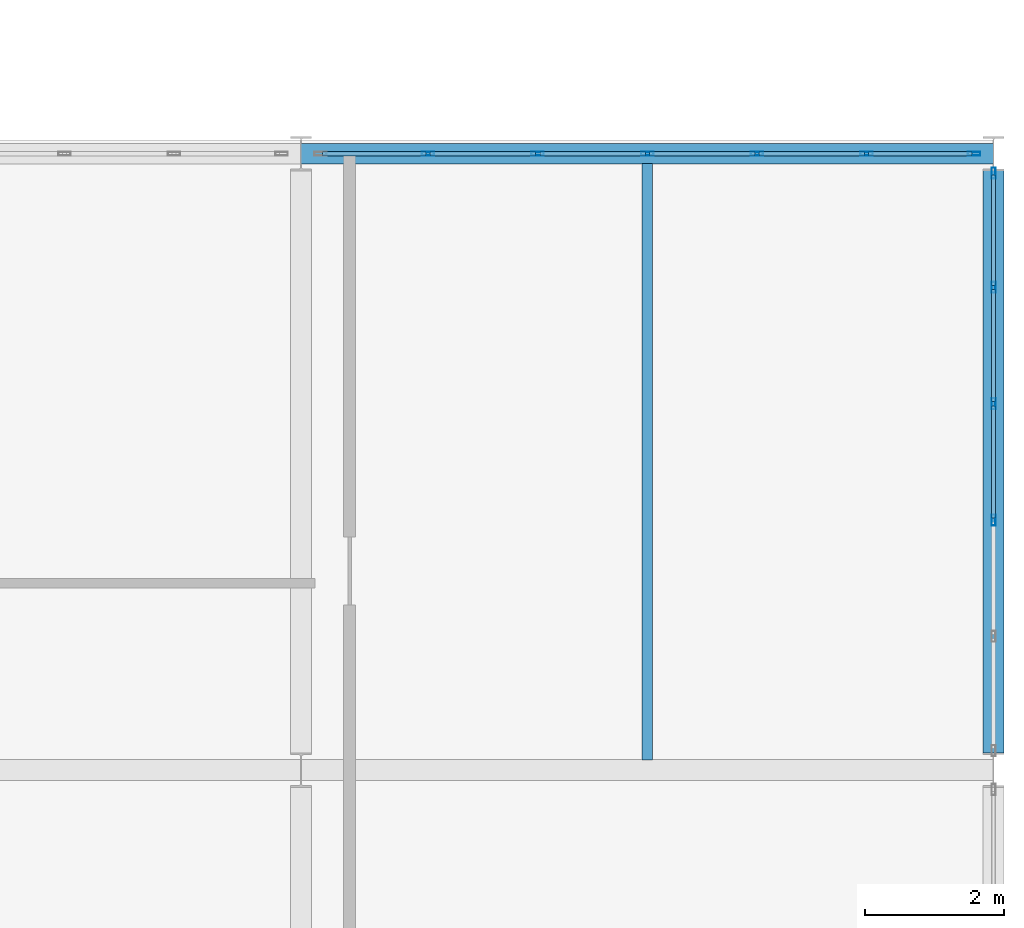
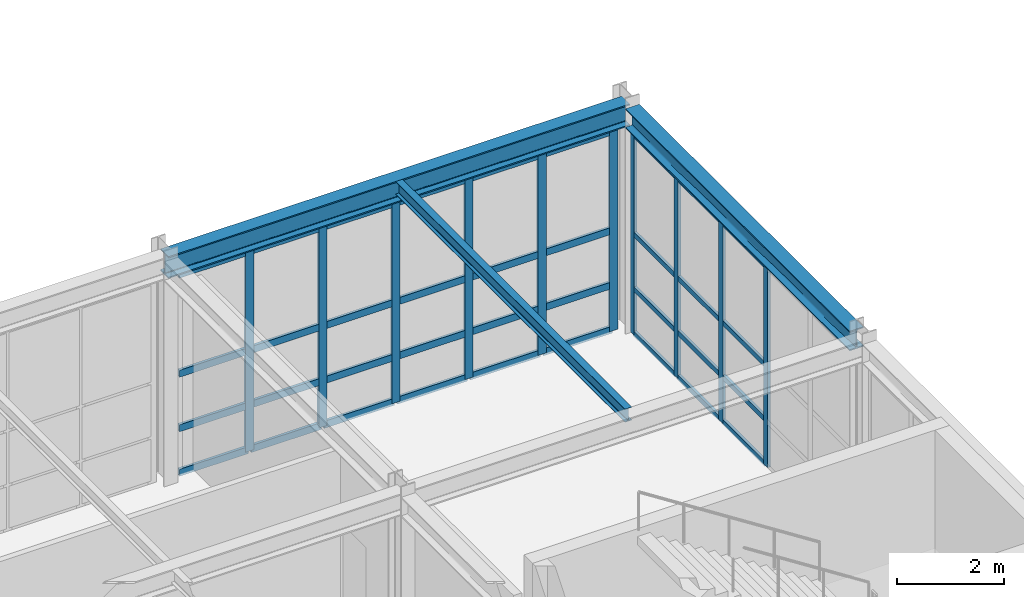
# One storey, part 106 of 210: 46 members, 3 beams, 2 elements without a shape of their own.
"""IFC4 building model written with IfcOpenShell, lengths in metres."""

from ifc_helpers import new_model, si_unit, direction, frame, origin, origin_2d, place, context, subcontext, project, spatial, hollow_rectangle, i_section, extrude, material, material_profile, profile_set, type_object, element, aggregate, save


model = new_model("IFC4")

# Units and contexts
model_context = context("Model", 3, precision=1e-05, world=origin(), true_north=direction((0.0, 1.0)))
body_context = subcontext(model_context, "Body", "Model", "MODEL_VIEW")
ifc_project = project(units=[si_unit("LENGTHUNIT", "METRE"), si_unit("AREAUNIT", "SQUARE_METRE"), si_unit("VOLUMEUNIT", "CUBIC_METRE"), si_unit("PLANEANGLEUNIT", "RADIAN"), si_unit("MASSUNIT", "GRAM", prefix="KILO")], contexts=[model_context])

# Site, building, storey
site_placement = place(None, origin())
site = spatial("IfcSite", under=ifc_project, at=site_placement, CompositionType="ELEMENT")
building_placement = place(site_placement, origin())
building = spatial("IfcBuilding", under=site, at=building_placement, Name="Kaldris Quays Convention Centre", CompositionType="ELEMENT")
storey_placement = place(building_placement, frame((0.0, 0.0, 6.0)))
storey = spatial("IfcBuildingStorey", under=building, at=storey_placement, Name="L01", CompositionType="ELEMENT", Elevation=6.0)

# Curtain wall, members
ifc_material_1 = material(Name="Anodized aluminium AW-6060 and triple glazing", Category="aluminium")
curtain_wall_type = type_object("IfcCurtainWallType", Name="UNITISED CURTAIN WALL CW02", PredefinedType="NOTDEFINED", material=ifc_material_1)
curtain_wall_1_placement = place(storey_placement, origin())
curtain_wall_1 = element("IfcCurtainWall", 1, at=curtain_wall_1_placement, inside=storey, type_object=curtain_wall_type, Name="L01 Unitised Curtain Wall CW02 198", PredefinedType="NOTDEFINED")
ifc_material_2 = material(Name="Anodized aluminium AW-6060", Category="aluminium")
ifc_material_profile_1 = material_profile(ifc_material_2, hollow_rectangle(XDim=0.06005859375, YDim=0.159912109375, WallThickness=0.00390625, at=origin_2d()), Name="RHS 160x60x4")
ifc_profile_set_1 = profile_set([ifc_material_profile_1], Name="Anodized aluminium AW-6060")
member_type_1 = type_object("IfcMemberType", Name="CURTAIN MULLION CWM1", PredefinedType="MULLION", material=ifc_profile_set_1)
member_1_placement = place(storey_placement, frame((204.0, 32.110107421875, 0.0), z_axis=(0.0, 0.0, 1.0), x_axis=(-1.0, 0.0, 0.0)))
member_1 = element("IfcMember", 2, at=member_1_placement, type_object=member_type_1, Name="CW02 mullion 3", PredefinedType="MULLION", context=body_context, shape_type="SweptSolid", body=[
    extrude(hollow_rectangle(XDim=0.06005859375, YDim=0.159912109375, WallThickness=0.00390625, at=origin_2d()), origin(), (0.0, 0.0, 1.0), 4.60009765625),
])
member_2_placement = place(storey_placement, frame((204.0, 33.7900390625, 0.0), z_axis=(0.0, 0.0, 1.0), x_axis=(-1.0, 0.0, 0.0)))
member_2 = element("IfcMember", 3, at=member_2_placement, type_object=member_type_1, Name="CW02 mullion 4", PredefinedType="MULLION", context=body_context, shape_type="SweptSolid", body=[
    extrude(hollow_rectangle(XDim=0.06005859375, YDim=0.159912109375, WallThickness=0.00390625, at=origin_2d()), origin(), (0.0, 0.0, 1.0), 4.60009765625),
])
member_3_placement = place(storey_placement, frame((204.0, 35.469970703125, 0.0), z_axis=(0.0, 0.0, 1.0), x_axis=(-1.0, 0.0, 0.0)))
member_3 = element("IfcMember", 4, at=member_3_placement, type_object=member_type_1, Name="CW02 mullion 5", PredefinedType="MULLION", context=body_context, shape_type="SweptSolid", body=[
    extrude(hollow_rectangle(XDim=0.06005859375, YDim=0.159912109375, WallThickness=0.00390625, at=origin_2d()), origin(), (0.0, 0.0, 1.0), 4.60009765625),
])
member_4_placement = place(storey_placement, frame((204.0, 37.1201171875, 0.0), z_axis=(0.0, 0.0, 1.0), x_axis=(-1.0, 0.0, 0.0)))
member_4 = element("IfcMember", 5, at=member_4_placement, type_object=member_type_1, Name="CW02 mullion 6", PredefinedType="MULLION", context=body_context, shape_type="SweptSolid", body=[
    extrude(hollow_rectangle(XDim=0.06005859375, YDim=0.159912109375, WallThickness=0.00390625, at=origin_2d()), origin(), (0.0, 0.0, 1.0), 4.60009765625),
])

curtain_wall_2_placement = place(storey_placement, origin())
curtain_wall_2 = element("IfcCurtainWall", 6, at=curtain_wall_2_placement, inside=storey, type_object=curtain_wall_type, Name="L01 Unitised Curtain Wall CW02 194", PredefinedType="NOTDEFINED")
ifc_material_profile_2 = material_profile(ifc_material_2, hollow_rectangle(XDim=0.06005859375, YDim=0.179931640625, WallThickness=0.0048828125, at=origin_2d()), Name="RHS 180x60x5")
ifc_profile_set_2 = profile_set([ifc_material_profile_2], Name="Anodized aluminium AW-6060")
member_type_2 = type_object("IfcMemberType", Name="CURTAIN MULLION CWM2", PredefinedType="MULLION", material=ifc_profile_set_2)
member_5_placement = place(storey_placement, frame((195.833251953125, 37.39990234375, 0.0), z_axis=(0.0, 0.0, 1.0), x_axis=(0.0, 1.0, 0.0)))
member_5 = element("IfcMember", 7, at=member_5_placement, type_object=member_type_2, Name="CW02 mullion 2", PredefinedType="MULLION", context=body_context, shape_type="SweptSolid", body=[
    extrude(hollow_rectangle(XDim=0.06005859375, YDim=0.179931640625, WallThickness=0.0048828125, at=origin_2d()), origin(), (0.0, 0.0, 1.0), 4.60009765625),
])
member_6_placement = place(storey_placement, frame((197.416748046875, 37.39990234375, 0.0), z_axis=(0.0, 0.0, 1.0), x_axis=(0.0, 1.0, 0.0)))
member_6 = element("IfcMember", 8, at=member_6_placement, type_object=member_type_2, Name="CW02 mullion 3", PredefinedType="MULLION", context=body_context, shape_type="SweptSolid", body=[
    extrude(hollow_rectangle(XDim=0.06005859375, YDim=0.179931640625, WallThickness=0.0048828125, at=origin_2d()), origin(), (0.0, 0.0, 1.0), 4.60009765625),
])
member_7_placement = place(storey_placement, frame((199.0, 37.39990234375, 0.0), z_axis=(0.0, 0.0, 1.0), x_axis=(0.0, 1.0, 0.0)))
member_7 = element("IfcMember", 9, at=member_7_placement, type_object=member_type_2, Name="CW02 mullion 4", PredefinedType="MULLION", context=body_context, shape_type="SweptSolid", body=[
    extrude(hollow_rectangle(XDim=0.06005859375, YDim=0.179931640625, WallThickness=0.0048828125, at=origin_2d()), origin(), (0.0, 0.0, 1.0), 4.60009765625),
])
member_8_placement = place(storey_placement, frame((200.583251953125, 37.39990234375, 0.0), z_axis=(0.0, 0.0, 1.0), x_axis=(0.0, 1.0, 0.0)))
member_8 = element("IfcMember", 10, at=member_8_placement, type_object=member_type_2, Name="CW02 mullion 5", PredefinedType="MULLION", context=body_context, shape_type="SweptSolid", body=[
    extrude(hollow_rectangle(XDim=0.06005859375, YDim=0.179931640625, WallThickness=0.0048828125, at=origin_2d()), origin(), (0.0, 0.0, 1.0), 4.60009765625),
])
member_9_placement = place(storey_placement, frame((202.166748046875, 37.39990234375, 0.0), z_axis=(0.0, 0.0, 1.0), x_axis=(0.0, 1.0, 0.0)))
member_9 = element("IfcMember", 11, at=member_9_placement, type_object=member_type_2, Name="CW02 mullion 6", PredefinedType="MULLION", context=body_context, shape_type="SweptSolid", body=[
    extrude(hollow_rectangle(XDim=0.06005859375, YDim=0.179931640625, WallThickness=0.0048828125, at=origin_2d()), origin(), (0.0, 0.0, 1.0), 4.60009765625),
])
member_10_placement = place(storey_placement, frame((203.719970703125, 37.39990234375, 0.0), z_axis=(0.0, 0.0, 1.0), x_axis=(0.0, 1.0, 0.0)))
member_10 = element("IfcMember", 12, at=member_10_placement, type_object=member_type_2, Name="CW02 mullion 7", PredefinedType="MULLION", context=body_context, shape_type="SweptSolid", body=[
    extrude(hollow_rectangle(XDim=0.06005859375, YDim=0.179931640625, WallThickness=0.0048828125, at=origin_2d()), origin(), (0.0, 0.0, 1.0), 4.60009765625),
])

# Member
ifc_material_profile_3 = material_profile(ifc_material_2, hollow_rectangle(XDim=0.06005859375, YDim=0.1201171875, WallThickness=0.00390625, at=origin_2d()), Name="RHS 120x60x4")
ifc_profile_set_3 = profile_set([ifc_material_profile_3], Name="Anodized aluminium AW-6060")
member_type_3 = type_object("IfcMemberType", Name="CURTAIN TRANSOM CWT1", PredefinedType="USERDEFINED", material=ifc_profile_set_3)
member_11_placement = place(storey_placement, frame((204.0, 32.139892578125, 0.030029296875), z_axis=(0.0, 1.0, 0.0), x_axis=(-1.0, 0.0, 0.0)))
member_11 = element("IfcMember", 13, at=member_11_placement, type_object=member_type_3, Name="CW02 transom 3.1", ObjectType="TRANSOM", PredefinedType="USERDEFINED", context=body_context, shape_type="SweptSolid", body=[
    extrude(hollow_rectangle(XDim=0.06005859375, YDim=0.1201171875, WallThickness=0.00390625, at=origin_2d()), origin(), (0.0, 0.0, 1.0), 1.6201171875),
])

member_12_placement = place(storey_placement, frame((204.0, 32.139892578125, 1.050048828125), z_axis=(0.0, 1.0, 0.0), x_axis=(-1.0, 0.0, 0.0)))
member_12 = element("IfcMember", 14, at=member_12_placement, type_object=member_type_3, Name="CW02 transom 3.2", ObjectType="TRANSOM", PredefinedType="USERDEFINED", context=body_context, shape_type="SweptSolid", body=[
    extrude(hollow_rectangle(XDim=0.06005859375, YDim=0.1201171875, WallThickness=0.00390625, at=origin_2d()), origin(), (0.0, 0.0, 1.0), 1.6201171875),
])

member_13_placement = place(storey_placement, frame((204.0, 32.139892578125, 2.300048828125), z_axis=(0.0, 1.0, 0.0), x_axis=(-1.0, 0.0, 0.0)))
member_13 = element("IfcMember", 15, at=member_13_placement, type_object=member_type_3, Name="CW02 transom 3.3", ObjectType="TRANSOM", PredefinedType="USERDEFINED", context=body_context, shape_type="SweptSolid", body=[
    extrude(hollow_rectangle(XDim=0.06005859375, YDim=0.1201171875, WallThickness=0.00390625, at=origin_2d()), origin(), (0.0, 0.0, 1.0), 1.6201171875),
])

member_14_placement = place(storey_placement, frame((204.0, 32.139892578125, 4.570068359375), z_axis=(0.0, 1.0, 0.0), x_axis=(-1.0, 0.0, 0.0)))
member_14 = element("IfcMember", 16, at=member_14_placement, type_object=member_type_3, Name="CW02 transom 3.4", ObjectType="TRANSOM", PredefinedType="USERDEFINED", context=body_context, shape_type="SweptSolid", body=[
    extrude(hollow_rectangle(XDim=0.06005859375, YDim=0.1201171875, WallThickness=0.00390625, at=origin_2d()), origin(), (0.0, 0.0, 1.0), 1.6201171875),
])

member_15_placement = place(storey_placement, frame((204.0, 33.820068359375, 0.030029296875), z_axis=(0.0, 1.0, 0.0), x_axis=(-1.0, 0.0, 0.0)))
member_15 = element("IfcMember", 17, at=member_15_placement, type_object=member_type_3, Name="CW02 transom 4.1", ObjectType="TRANSOM", PredefinedType="USERDEFINED", context=body_context, shape_type="SweptSolid", body=[
    extrude(hollow_rectangle(XDim=0.06005859375, YDim=0.1201171875, WallThickness=0.00390625, at=origin_2d()), origin(), (0.0, 0.0, 1.0), 1.619873046875),
])

member_16_placement = place(storey_placement, frame((204.0, 33.820068359375, 1.050048828125), z_axis=(0.0, 1.0, 0.0), x_axis=(-1.0, 0.0, 0.0)))
member_16 = element("IfcMember", 18, at=member_16_placement, type_object=member_type_3, Name="CW02 transom 4.2", ObjectType="TRANSOM", PredefinedType="USERDEFINED", context=body_context, shape_type="SweptSolid", body=[
    extrude(hollow_rectangle(XDim=0.06005859375, YDim=0.1201171875, WallThickness=0.00390625, at=origin_2d()), origin(), (0.0, 0.0, 1.0), 1.619873046875),
])

member_17_placement = place(storey_placement, frame((204.0, 33.820068359375, 2.300048828125), z_axis=(0.0, 1.0, 0.0), x_axis=(-1.0, 0.0, 0.0)))
member_17 = element("IfcMember", 19, at=member_17_placement, type_object=member_type_3, Name="CW02 transom 4.3", ObjectType="TRANSOM", PredefinedType="USERDEFINED", context=body_context, shape_type="SweptSolid", body=[
    extrude(hollow_rectangle(XDim=0.06005859375, YDim=0.1201171875, WallThickness=0.00390625, at=origin_2d()), origin(), (0.0, 0.0, 1.0), 1.619873046875),
])

member_18_placement = place(storey_placement, frame((204.0, 33.820068359375, 4.570068359375), z_axis=(0.0, 1.0, 0.0), x_axis=(-1.0, 0.0, 0.0)))
member_18 = element("IfcMember", 20, at=member_18_placement, type_object=member_type_3, Name="CW02 transom 4.4", ObjectType="TRANSOM", PredefinedType="USERDEFINED", context=body_context, shape_type="SweptSolid", body=[
    extrude(hollow_rectangle(XDim=0.06005859375, YDim=0.1201171875, WallThickness=0.00390625, at=origin_2d()), origin(), (0.0, 0.0, 1.0), 1.619873046875),
])

member_19_placement = place(storey_placement, frame((204.0, 35.5, 0.030029296875), z_axis=(0.0, 1.0, 0.0), x_axis=(-1.0, 0.0, 0.0)))
member_19 = element("IfcMember", 21, at=member_19_placement, type_object=member_type_3, Name="CW02 transom 5.1", ObjectType="TRANSOM", PredefinedType="USERDEFINED", context=body_context, shape_type="SweptSolid", body=[
    extrude(hollow_rectangle(XDim=0.06005859375, YDim=0.1201171875, WallThickness=0.00390625, at=origin_2d()), origin(), (0.0, 0.0, 1.0), 1.590087890625),
])

member_20_placement = place(storey_placement, frame((204.0, 35.5, 1.050048828125), z_axis=(0.0, 1.0, 0.0), x_axis=(-1.0, 0.0, 0.0)))
member_20 = element("IfcMember", 22, at=member_20_placement, type_object=member_type_3, Name="CW02 transom 5.2", ObjectType="TRANSOM", PredefinedType="USERDEFINED", context=body_context, shape_type="SweptSolid", body=[
    extrude(hollow_rectangle(XDim=0.06005859375, YDim=0.1201171875, WallThickness=0.00390625, at=origin_2d()), origin(), (0.0, 0.0, 1.0), 1.590087890625),
])

member_21_placement = place(storey_placement, frame((204.0, 35.5, 2.300048828125), z_axis=(0.0, 1.0, 0.0), x_axis=(-1.0, 0.0, 0.0)))
member_21 = element("IfcMember", 23, at=member_21_placement, type_object=member_type_3, Name="CW02 transom 5.3", ObjectType="TRANSOM", PredefinedType="USERDEFINED", context=body_context, shape_type="SweptSolid", body=[
    extrude(hollow_rectangle(XDim=0.06005859375, YDim=0.1201171875, WallThickness=0.00390625, at=origin_2d()), origin(), (0.0, 0.0, 1.0), 1.590087890625),
])

member_22_placement = place(storey_placement, frame((204.0, 35.5, 4.570068359375), z_axis=(0.0, 1.0, 0.0), x_axis=(-1.0, 0.0, 0.0)))
member_22 = element("IfcMember", 24, at=member_22_placement, type_object=member_type_3, Name="CW02 transom 5.4", ObjectType="TRANSOM", PredefinedType="USERDEFINED", context=body_context, shape_type="SweptSolid", body=[
    extrude(hollow_rectangle(XDim=0.06005859375, YDim=0.1201171875, WallThickness=0.00390625, at=origin_2d()), origin(), (0.0, 0.0, 1.0), 1.590087890625),
])

aggregate(curtain_wall_1, [member_1, member_2, member_3, member_4, member_11, member_12, member_13, member_14, member_15, member_16, member_17, member_18, member_19, member_20, member_21, member_22])

ifc_material_profile_4 = material_profile(ifc_material_2, hollow_rectangle(XDim=0.06005859375, YDim=0.159912109375, WallThickness=0.00390625, at=origin_2d()), Name="RHS 160x60x4")
ifc_profile_set_4 = profile_set([ifc_material_profile_4], Name="Anodized aluminium AW-6060")
member_type_4 = type_object("IfcMemberType", Name="CURTAIN TRANSOM CWT2", PredefinedType="USERDEFINED", material=ifc_profile_set_4)
member_23_placement = place(storey_placement, frame((194.31005859375, 37.39990234375, 0.030029296875), z_axis=(1.0, 0.0, 0.0), x_axis=(0.0, 1.0, 0.0)))
member_23 = element("IfcMember", 25, at=member_23_placement, type_object=member_type_4, Name="CW02 transom 1.1", ObjectType="TRANSOM", PredefinedType="USERDEFINED", context=body_context, shape_type="SweptSolid", body=[
    extrude(hollow_rectangle(XDim=0.06005859375, YDim=0.159912109375, WallThickness=0.00390625, at=origin_2d()), origin(), (0.0, 0.0, 1.0), 1.4931640625),
])

member_24_placement = place(storey_placement, frame((194.31005859375, 37.39990234375, 1.050048828125), z_axis=(1.0, 0.0, 0.0), x_axis=(0.0, 1.0, 0.0)))
member_24 = element("IfcMember", 26, at=member_24_placement, type_object=member_type_4, Name="CW02 transom 1.2", ObjectType="TRANSOM", PredefinedType="USERDEFINED", context=body_context, shape_type="SweptSolid", body=[
    extrude(hollow_rectangle(XDim=0.06005859375, YDim=0.159912109375, WallThickness=0.00390625, at=origin_2d()), origin(), (0.0, 0.0, 1.0), 1.4931640625),
])

member_25_placement = place(storey_placement, frame((194.31005859375, 37.39990234375, 2.300048828125), z_axis=(1.0, 0.0, 0.0), x_axis=(0.0, 1.0, 0.0)))
member_25 = element("IfcMember", 27, at=member_25_placement, type_object=member_type_4, Name="CW02 transom 1.3", ObjectType="TRANSOM", PredefinedType="USERDEFINED", context=body_context, shape_type="SweptSolid", body=[
    extrude(hollow_rectangle(XDim=0.06005859375, YDim=0.159912109375, WallThickness=0.00390625, at=origin_2d()), origin(), (0.0, 0.0, 1.0), 1.4931640625),
])

member_26_placement = place(storey_placement, frame((194.31005859375, 37.39990234375, 4.570068359375), z_axis=(1.0, 0.0, 0.0), x_axis=(0.0, 1.0, 0.0)))
member_26 = element("IfcMember", 28, at=member_26_placement, type_object=member_type_4, Name="CW02 transom 1.4", ObjectType="TRANSOM", PredefinedType="USERDEFINED", context=body_context, shape_type="SweptSolid", body=[
    extrude(hollow_rectangle(XDim=0.06005859375, YDim=0.159912109375, WallThickness=0.00390625, at=origin_2d()), origin(), (0.0, 0.0, 1.0), 1.4931640625),
])

member_27_placement = place(storey_placement, frame((195.86328125, 37.39990234375, 0.030029296875), z_axis=(1.0, 0.0, 0.0), x_axis=(0.0, 1.0, 0.0)))
member_27 = element("IfcMember", 29, at=member_27_placement, type_object=member_type_4, Name="CW02 transom 2.1", ObjectType="TRANSOM", PredefinedType="USERDEFINED", context=body_context, shape_type="SweptSolid", body=[
    extrude(hollow_rectangle(XDim=0.06005859375, YDim=0.159912109375, WallThickness=0.00390625, at=origin_2d()), origin(), (0.0, 0.0, 1.0), 1.5234375),
])

member_28_placement = place(storey_placement, frame((195.86328125, 37.39990234375, 1.050048828125), z_axis=(1.0, 0.0, 0.0), x_axis=(0.0, 1.0, 0.0)))
member_28 = element("IfcMember", 30, at=member_28_placement, type_object=member_type_4, Name="CW02 transom 2.2", ObjectType="TRANSOM", PredefinedType="USERDEFINED", context=body_context, shape_type="SweptSolid", body=[
    extrude(hollow_rectangle(XDim=0.06005859375, YDim=0.159912109375, WallThickness=0.00390625, at=origin_2d()), origin(), (0.0, 0.0, 1.0), 1.5234375),
])

member_29_placement = place(storey_placement, frame((195.86328125, 37.39990234375, 2.300048828125), z_axis=(1.0, 0.0, 0.0), x_axis=(0.0, 1.0, 0.0)))
member_29 = element("IfcMember", 31, at=member_29_placement, type_object=member_type_4, Name="CW02 transom 2.3", ObjectType="TRANSOM", PredefinedType="USERDEFINED", context=body_context, shape_type="SweptSolid", body=[
    extrude(hollow_rectangle(XDim=0.06005859375, YDim=0.159912109375, WallThickness=0.00390625, at=origin_2d()), origin(), (0.0, 0.0, 1.0), 1.5234375),
])

member_30_placement = place(storey_placement, frame((195.86328125, 37.39990234375, 4.570068359375), z_axis=(1.0, 0.0, 0.0), x_axis=(0.0, 1.0, 0.0)))
member_30 = element("IfcMember", 32, at=member_30_placement, type_object=member_type_4, Name="CW02 transom 2.4", ObjectType="TRANSOM", PredefinedType="USERDEFINED", context=body_context, shape_type="SweptSolid", body=[
    extrude(hollow_rectangle(XDim=0.06005859375, YDim=0.159912109375, WallThickness=0.00390625, at=origin_2d()), origin(), (0.0, 0.0, 1.0), 1.5234375),
])

member_31_placement = place(storey_placement, frame((197.44677734375, 37.39990234375, 0.030029296875), z_axis=(1.0, 0.0, 0.0), x_axis=(0.0, 1.0, 0.0)))
member_31 = element("IfcMember", 33, at=member_31_placement, type_object=member_type_4, Name="CW02 transom 3.1", ObjectType="TRANSOM", PredefinedType="USERDEFINED", context=body_context, shape_type="SweptSolid", body=[
    extrude(hollow_rectangle(XDim=0.06005859375, YDim=0.159912109375, WallThickness=0.00390625, at=origin_2d()), origin(), (0.0, 0.0, 1.0), 1.523193359375),
])

member_32_placement = place(storey_placement, frame((197.44677734375, 37.39990234375, 1.050048828125), z_axis=(1.0, 0.0, 0.0), x_axis=(0.0, 1.0, 0.0)))
member_32 = element("IfcMember", 34, at=member_32_placement, type_object=member_type_4, Name="CW02 transom 3.2", ObjectType="TRANSOM", PredefinedType="USERDEFINED", context=body_context, shape_type="SweptSolid", body=[
    extrude(hollow_rectangle(XDim=0.06005859375, YDim=0.159912109375, WallThickness=0.00390625, at=origin_2d()), origin(), (0.0, 0.0, 1.0), 1.523193359375),
])

member_33_placement = place(storey_placement, frame((197.44677734375, 37.39990234375, 2.300048828125), z_axis=(1.0, 0.0, 0.0), x_axis=(0.0, 1.0, 0.0)))
member_33 = element("IfcMember", 35, at=member_33_placement, type_object=member_type_4, Name="CW02 transom 3.3", ObjectType="TRANSOM", PredefinedType="USERDEFINED", context=body_context, shape_type="SweptSolid", body=[
    extrude(hollow_rectangle(XDim=0.06005859375, YDim=0.159912109375, WallThickness=0.00390625, at=origin_2d()), origin(), (0.0, 0.0, 1.0), 1.523193359375),
])

member_34_placement = place(storey_placement, frame((197.44677734375, 37.39990234375, 4.570068359375), z_axis=(1.0, 0.0, 0.0), x_axis=(0.0, 1.0, 0.0)))
member_34 = element("IfcMember", 36, at=member_34_placement, type_object=member_type_4, Name="CW02 transom 3.4", ObjectType="TRANSOM", PredefinedType="USERDEFINED", context=body_context, shape_type="SweptSolid", body=[
    extrude(hollow_rectangle(XDim=0.06005859375, YDim=0.159912109375, WallThickness=0.00390625, at=origin_2d()), origin(), (0.0, 0.0, 1.0), 1.523193359375),
])

member_35_placement = place(storey_placement, frame((199.030029296875, 37.39990234375, 0.030029296875), z_axis=(1.0, 0.0, 0.0), x_axis=(0.0, 1.0, 0.0)))
member_35 = element("IfcMember", 37, at=member_35_placement, type_object=member_type_4, Name="CW02 transom 4.1", ObjectType="TRANSOM", PredefinedType="USERDEFINED", context=body_context, shape_type="SweptSolid", body=[
    extrude(hollow_rectangle(XDim=0.06005859375, YDim=0.159912109375, WallThickness=0.00390625, at=origin_2d()), origin(), (0.0, 0.0, 1.0), 1.523193359375),
])

member_36_placement = place(storey_placement, frame((199.030029296875, 37.39990234375, 1.050048828125), z_axis=(1.0, 0.0, 0.0), x_axis=(0.0, 1.0, 0.0)))
member_36 = element("IfcMember", 38, at=member_36_placement, type_object=member_type_4, Name="CW02 transom 4.2", ObjectType="TRANSOM", PredefinedType="USERDEFINED", context=body_context, shape_type="SweptSolid", body=[
    extrude(hollow_rectangle(XDim=0.06005859375, YDim=0.159912109375, WallThickness=0.00390625, at=origin_2d()), origin(), (0.0, 0.0, 1.0), 1.523193359375),
])

member_37_placement = place(storey_placement, frame((199.030029296875, 37.39990234375, 2.300048828125), z_axis=(1.0, 0.0, 0.0), x_axis=(0.0, 1.0, 0.0)))
member_37 = element("IfcMember", 39, at=member_37_placement, type_object=member_type_4, Name="CW02 transom 4.3", ObjectType="TRANSOM", PredefinedType="USERDEFINED", context=body_context, shape_type="SweptSolid", body=[
    extrude(hollow_rectangle(XDim=0.06005859375, YDim=0.159912109375, WallThickness=0.00390625, at=origin_2d()), origin(), (0.0, 0.0, 1.0), 1.523193359375),
])

member_38_placement = place(storey_placement, frame((199.030029296875, 37.39990234375, 4.570068359375), z_axis=(1.0, 0.0, 0.0), x_axis=(0.0, 1.0, 0.0)))
member_38 = element("IfcMember", 40, at=member_38_placement, type_object=member_type_4, Name="CW02 transom 4.4", ObjectType="TRANSOM", PredefinedType="USERDEFINED", context=body_context, shape_type="SweptSolid", body=[
    extrude(hollow_rectangle(XDim=0.06005859375, YDim=0.159912109375, WallThickness=0.00390625, at=origin_2d()), origin(), (0.0, 0.0, 1.0), 1.523193359375),
])

member_39_placement = place(storey_placement, frame((200.61328125, 37.39990234375, 0.030029296875), z_axis=(1.0, 0.0, 0.0), x_axis=(0.0, 1.0, 0.0)))
member_39 = element("IfcMember", 41, at=member_39_placement, type_object=member_type_4, Name="CW02 transom 5.1", ObjectType="TRANSOM", PredefinedType="USERDEFINED", context=body_context, shape_type="SweptSolid", body=[
    extrude(hollow_rectangle(XDim=0.06005859375, YDim=0.159912109375, WallThickness=0.00390625, at=origin_2d()), origin(), (0.0, 0.0, 1.0), 1.5234375),
])

member_40_placement = place(storey_placement, frame((200.61328125, 37.39990234375, 1.050048828125), z_axis=(1.0, 0.0, 0.0), x_axis=(0.0, 1.0, 0.0)))
member_40 = element("IfcMember", 42, at=member_40_placement, type_object=member_type_4, Name="CW02 transom 5.2", ObjectType="TRANSOM", PredefinedType="USERDEFINED", context=body_context, shape_type="SweptSolid", body=[
    extrude(hollow_rectangle(XDim=0.06005859375, YDim=0.159912109375, WallThickness=0.00390625, at=origin_2d()), origin(), (0.0, 0.0, 1.0), 1.5234375),
])

member_41_placement = place(storey_placement, frame((200.61328125, 37.39990234375, 2.300048828125), z_axis=(1.0, 0.0, 0.0), x_axis=(0.0, 1.0, 0.0)))
member_41 = element("IfcMember", 43, at=member_41_placement, type_object=member_type_4, Name="CW02 transom 5.3", ObjectType="TRANSOM", PredefinedType="USERDEFINED", context=body_context, shape_type="SweptSolid", body=[
    extrude(hollow_rectangle(XDim=0.06005859375, YDim=0.159912109375, WallThickness=0.00390625, at=origin_2d()), origin(), (0.0, 0.0, 1.0), 1.5234375),
])

member_42_placement = place(storey_placement, frame((200.61328125, 37.39990234375, 4.570068359375), z_axis=(1.0, 0.0, 0.0), x_axis=(0.0, 1.0, 0.0)))
member_42 = element("IfcMember", 44, at=member_42_placement, type_object=member_type_4, Name="CW02 transom 5.4", ObjectType="TRANSOM", PredefinedType="USERDEFINED", context=body_context, shape_type="SweptSolid", body=[
    extrude(hollow_rectangle(XDim=0.06005859375, YDim=0.159912109375, WallThickness=0.00390625, at=origin_2d()), origin(), (0.0, 0.0, 1.0), 1.5234375),
])

member_43_placement = place(storey_placement, frame((202.19677734375, 37.39990234375, 0.030029296875), z_axis=(1.0, 0.0, 0.0), x_axis=(0.0, 1.0, 0.0)))
member_43 = element("IfcMember", 45, at=member_43_placement, type_object=member_type_4, Name="CW02 transom 6.1", ObjectType="TRANSOM", PredefinedType="USERDEFINED", context=body_context, shape_type="SweptSolid", body=[
    extrude(hollow_rectangle(XDim=0.06005859375, YDim=0.159912109375, WallThickness=0.00390625, at=origin_2d()), origin(), (0.0, 0.0, 1.0), 1.4931640625),
])

member_44_placement = place(storey_placement, frame((202.19677734375, 37.39990234375, 1.050048828125), z_axis=(1.0, 0.0, 0.0), x_axis=(0.0, 1.0, 0.0)))
member_44 = element("IfcMember", 46, at=member_44_placement, type_object=member_type_4, Name="CW02 transom 6.2", ObjectType="TRANSOM", PredefinedType="USERDEFINED", context=body_context, shape_type="SweptSolid", body=[
    extrude(hollow_rectangle(XDim=0.06005859375, YDim=0.159912109375, WallThickness=0.00390625, at=origin_2d()), origin(), (0.0, 0.0, 1.0), 1.4931640625),
])

member_45_placement = place(storey_placement, frame((202.19677734375, 37.39990234375, 2.300048828125), z_axis=(1.0, 0.0, 0.0), x_axis=(0.0, 1.0, 0.0)))
member_45 = element("IfcMember", 47, at=member_45_placement, type_object=member_type_4, Name="CW02 transom 6.3", ObjectType="TRANSOM", PredefinedType="USERDEFINED", context=body_context, shape_type="SweptSolid", body=[
    extrude(hollow_rectangle(XDim=0.06005859375, YDim=0.159912109375, WallThickness=0.00390625, at=origin_2d()), origin(), (0.0, 0.0, 1.0), 1.4931640625),
])

member_46_placement = place(storey_placement, frame((202.19677734375, 37.39990234375, 4.570068359375), z_axis=(1.0, 0.0, 0.0), x_axis=(0.0, 1.0, 0.0)))
member_46 = element("IfcMember", 48, at=member_46_placement, type_object=member_type_4, Name="CW02 transom 6.4", ObjectType="TRANSOM", PredefinedType="USERDEFINED", context=body_context, shape_type="SweptSolid", body=[
    extrude(hollow_rectangle(XDim=0.06005859375, YDim=0.159912109375, WallThickness=0.00390625, at=origin_2d()), origin(), (0.0, 0.0, 1.0), 1.4931640625),
])

aggregate(curtain_wall_2, [member_5, member_6, member_7, member_8, member_9, member_10, member_23, member_24, member_25, member_26, member_27, member_28, member_29, member_30, member_31, member_32, member_33, member_34, member_35, member_36, member_37, member_38, member_39, member_40, member_41, member_42, member_43, member_44, member_45, member_46])

# Beams
ifc_material_3 = material(Name="Steel S355J2", Category="steel")
ifc_material_profile_5 = material_profile(ifc_material_3, i_section(OverallWidth=0.300048828125, OverallDepth=0.5, WebThickness=0.014404296875, FlangeThickness=0.028076171875, FilletRadius=0.027099609375, at=origin_2d()), Name="HEB 500")
ifc_profile_set_5 = profile_set([ifc_material_profile_5], Name="Steel S355J2")
beam_type_1 = type_object("IfcBeamType", Name="STRUCTURAL BEAM BM06", PredefinedType="BEAM", material=ifc_profile_set_5)
beam_1_placement = place(storey_placement, frame((194.001220703125, 37.39990234375, 4.9130859375), z_axis=(1.0, 0.0, 0.0), x_axis=(0.0, 1.0, 0.0)))
element("IfcBeam", 49, at=beam_1_placement, inside=storey, type_object=beam_type_1, Name="L01 Girder BM06 15", PredefinedType="BEAM", context=body_context, shape_type="SweptSolid", body=[
    extrude(i_section(OverallWidth=0.300048828125, OverallDepth=0.5, WebThickness=0.014404296875, FlangeThickness=0.028076171875, FilletRadius=0.027099609375, at=origin_2d()), origin(), (0.0, 0.0, 1.0), 9.99755859375),
])
ifc_material_profile_6 = material_profile(ifc_material_3, i_section(OverallWidth=0.300048828125, OverallDepth=0.449951171875, WebThickness=0.013916015625, FlangeThickness=0.02587890625, FilletRadius=0.027099609375, at=origin_2d()), Name="HEB 450")
ifc_profile_set_6 = profile_set([ifc_material_profile_6], Name="Steel S355J2")
beam_type_2 = type_object("IfcBeamType", Name="STRUCTURAL BEAM BM07", PredefinedType="BEAM", material=ifc_profile_set_6)
beam_2_placement = place(storey_placement, frame((204.0, 28.743896484375, 4.93798828125), z_axis=(0.0, 1.0, 0.0), x_axis=(-1.0, 0.0, 0.0)))
element("IfcBeam", 50, at=beam_2_placement, inside=storey, type_object=beam_type_2, Name="L01 Girder BM07 27", PredefinedType="BEAM", context=body_context, shape_type="SweptSolid", body=[
    extrude(i_section(OverallWidth=0.300048828125, OverallDepth=0.449951171875, WebThickness=0.013916015625, FlangeThickness=0.02587890625, FilletRadius=0.027099609375, at=origin_2d()), origin(), (0.0, 0.0, 1.0), 8.412109375),
])
ifc_material_profile_7 = material_profile(ifc_material_3, i_section(OverallWidth=0.14990234375, OverallDepth=0.300048828125, WebThickness=0.007080078125, FlangeThickness=0.0107421875, FilletRadius=0.014892578125, at=origin_2d()), Name="IPE 300")
ifc_profile_set_7 = profile_set([ifc_material_profile_7], Name="Steel S355J2")
beam_type_3 = type_object("IfcBeamType", Name="STRUCTURAL BEAM JT04", PredefinedType="JOIST", material=ifc_profile_set_7)
beam_3_placement = place(storey_placement, frame((199.0, 28.64404296875, 5.012939453125), z_axis=(0.0, 1.0, 0.0), x_axis=(-1.0, 0.0, 0.0)))
element("IfcBeam", 51, at=beam_3_placement, inside=storey, type_object=beam_type_3, Name="L01 Secondary Joist JT04 8", PredefinedType="JOIST", context=body_context, shape_type="SweptSolid", body=[
    extrude(i_section(OverallWidth=0.14990234375, OverallDepth=0.300048828125, WebThickness=0.007080078125, FlangeThickness=0.0107421875, FilletRadius=0.014892578125, at=origin_2d()), origin(), (0.0, 0.0, 1.0), 8.612060546875),
])

save(model, "model.ifc")
